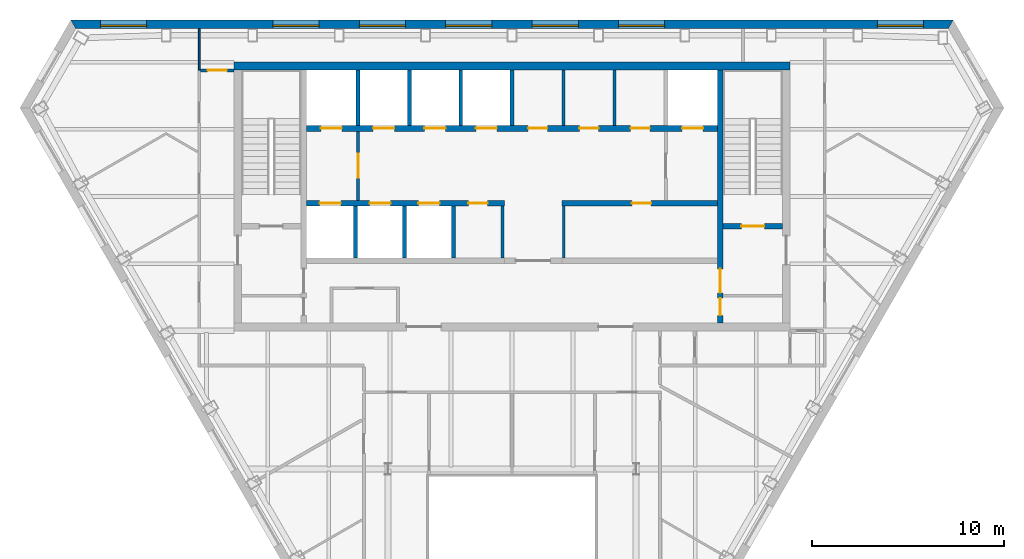
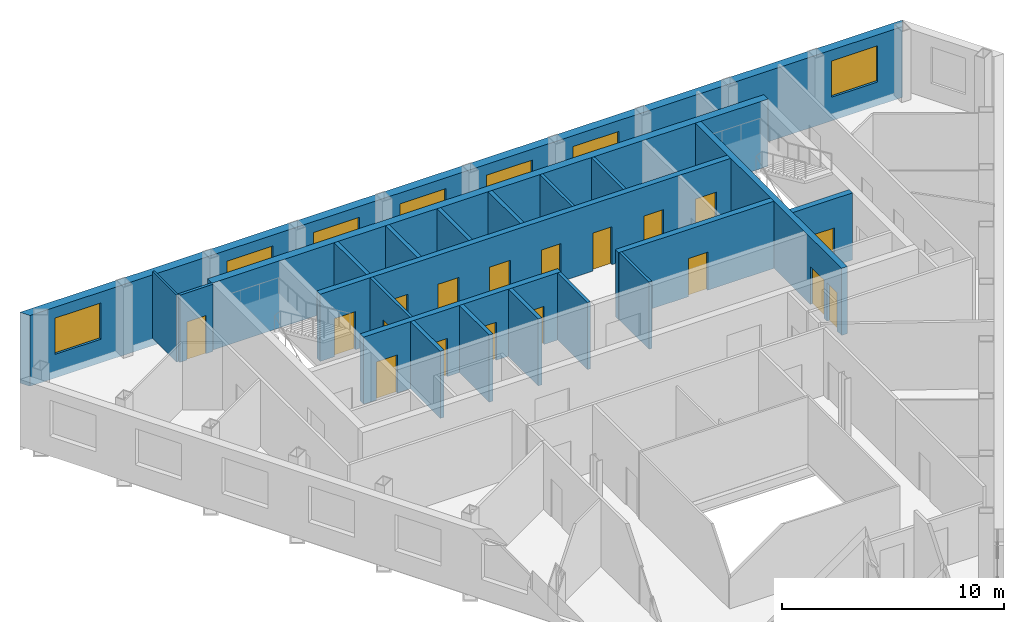
# One storey, part 6 of 10: 21 walls, 18 doors, 7 windows, 25 openings.
"""IFC4 building model written with IfcOpenShell, lengths in metres."""

from ifc_helpers import new_model, si_unit, direction, frame, frame_2d, origin, place, context, subcontext, project, spatial, polyline, rectangle, outline, extrude, material, layer, layer_set, type_object, element, fill, save


model = new_model("IFC4")

# Units and contexts
model_context = context("Model", 3, precision=1e-05, world=origin(), true_north=direction((0.0, 1.0)))
body_context = subcontext(model_context, "Body", "Model", "MODEL_VIEW")
ifc_project = project(units=[si_unit("LENGTHUNIT", "METRE"), si_unit("AREAUNIT", "SQUARE_METRE"), si_unit("VOLUMEUNIT", "CUBIC_METRE"), si_unit("PLANEANGLEUNIT", "RADIAN"), si_unit("MASSUNIT", "GRAM", prefix="KILO")], contexts=[model_context])

# Site, building, storey
site_placement = place(None, origin())
site = spatial("IfcSite", under=ifc_project, at=site_placement, CompositionType="ELEMENT")
building_placement = place(site_placement, origin())
building = spatial("IfcBuilding", under=site, at=building_placement, Name="Njiva Tower", CompositionType="ELEMENT")
storey_placement = place(building_placement, frame((0.0, 0.0, 280.5)))
storey = spatial("IfcBuildingStorey", under=building, at=storey_placement, Name="L64", CompositionType="ELEMENT", Elevation=280.5)

# Walls
ifc_material_1 = material(Name="Blockwork", Category="masonry")
ifc_layer_1 = layer(ifc_material_1, 0.15)
ifc_layer_set_1 = layer_set([ifc_layer_1], Name="Blockwork")
wall_type_1 = type_object("IfcWallType", Name="WT1 Compartment partition 150", PredefinedType="PARTITIONING", material=ifc_layer_set_1)
for number, where, z_axis, x_axis, name in (
    (1, (2.675, 14.7, 0.0), (0.0, 0.0, 1.0), (0.0, 1.0, 0.0), "Partition CN5"),
    (2, (5.35, 14.7, 0.0), (0.0, 0.0, 1.0), (0.0, 1.0, 0.0), "Partition CN6"),
):
    element("IfcWall", number, at=place(storey_placement, frame(where, z_axis=z_axis, x_axis=x_axis)), inside=storey, type_object=wall_type_1, Name=name, PredefinedType="PARTITIONING", context=body_context, shape_type="SweptSolid", body=[
        extrude(rectangle(XDim=2.9, YDim=0.15, at=frame_2d((1.45, 0.0))), origin(), (0.0, 0.0, 1.0), 3.7),
    ])
for number, where, z_axis, x_axis, name in (
    (3, (-0.5, 7.8, 0.0), (0.0, 0.0, 1.0), (0.0, 1.0, 0.0), "Partition CS4"),
    (4, (2.7, 7.8, 0.0), (0.0, 0.0, 1.0), (0.0, 1.0, 0.0), "Partition CS5"),
):
    element("IfcWall", number, at=place(storey_placement, frame(where, z_axis=z_axis, x_axis=x_axis)), inside=storey, type_object=wall_type_1, Name=name, PredefinedType="PARTITIONING", context=body_context, shape_type="SweptSolid", body=[
        extrude(rectangle(XDim=2.7, YDim=0.15, at=frame_2d((1.35, 0.0))), origin(), (0.0, 0.0, 1.0), 3.7),
    ])

# Wall, openings, doors
ifc_material_2 = material(Name="Concrete C40/50", Category="concrete")
ifc_layer_2 = layer(ifc_material_2, 0.3)
ifc_layer_set_2 = layer_set([ifc_layer_2], Name="Concrete C40/50")
wall_type_2 = type_object("IfcWallType", Name="WT10 Stair enclosure wall 300", PredefinedType="SHEAR", material=ifc_layer_set_2)
wall_1_placement = place(storey_placement, frame((10.85, 4.4, 0.0), z_axis=(0.0, 0.0, 1.0), x_axis=(0.0, 1.0, 0.0)))
wall_1 = element("IfcWall", 5, at=wall_1_placement, inside=storey, type_object=wall_type_2, Name="Stair wall east inner", PredefinedType="SHEAR", context=body_context, shape_type="SweptSolid", body=[
    extrude(rectangle(XDim=13.2, YDim=0.3, at=frame_2d((6.6, 0.0))), origin(), (0.0, 0.0, 1.0), 3.7),
])
opening_1_placement = place(wall_1_placement, frame((1.575, 0.0, 0.0)))
opening_1 = element("IfcOpeningElement", 6, at=opening_1_placement, cuts=wall_1, Name="Opening S21-D921", PredefinedType="OPENING", context=body_context, shape_type="SweptSolid", body=[
    extrude(rectangle(XDim=1.25, YDim=2.1, at=frame_2d((0.625, 1.05))), frame((0.0, 0.16, 0.0), z_axis=(0.0, -1.0, 0.0), x_axis=(1.0, 0.0, 0.0)), (0.0, 0.0, 1.0), 0.32),
])
opening_2_placement = place(wall_1_placement, frame((0.4, 0.0, 0.0)))
opening_2 = element("IfcOpeningElement", 7, at=opening_2_placement, cuts=wall_1, Name="Opening S21-D923", PredefinedType="OPENING", context=body_context, shape_type="SweptSolid", body=[
    extrude(rectangle(XDim=0.9, YDim=2.1, at=frame_2d((0.45, 1.05))), frame((0.0, 0.16, 0.0), z_axis=(0.0, -1.0, 0.0), x_axis=(1.0, 0.0, 0.0)), (0.0, 0.0, 1.0), 0.32),
])
ifc_material_3 = material(Name="Steel door, painted", Category="steel")
door_type_1 = type_object("IfcDoorType", Name="D13 Steel door 900x2100", OperationType="SINGLE_SWING_LEFT", PredefinedType="DOOR", material=ifc_material_3)
door_1_placement = place(opening_2_placement, origin())
door_1 = element("IfcDoor", 8, at=door_1_placement, inside=storey, type_object=door_type_1, Name="First aid room door", OperationType="SINGLE_SWING_LEFT", OverallHeight=2.1, OverallWidth=0.9, PredefinedType="DOOR", context=body_context, shape_type="SweptSolid", body=[
    extrude(rectangle(XDim=0.9, YDim=2.1, at=frame_2d((0.45, 1.05))), frame((0.0, 0.025, 0.0), z_axis=(0.0, -1.0, 0.0), x_axis=(1.0, 0.0, 0.0)), (0.0, 0.0, 1.0), 0.05),
])
fill(opening_2, door_1)
ifc_material_4 = material(Name="Glazed steel fire door", Category="steel")
door_type_2 = type_object("IfcDoorType", Name="D8 Vestibule corridor door 1250x2100 glazed", OperationType="SINGLE_SWING_LEFT", PredefinedType="DOOR", material=ifc_material_4)
door_2_placement = place(opening_1_placement, origin())
door_2 = element("IfcDoor", 9, at=door_2_placement, inside=storey, type_object=door_type_2, Name="Stair vestibule corridor door", OperationType="SINGLE_SWING_RIGHT", OverallHeight=2.1, OverallWidth=1.25, PredefinedType="DOOR", context=body_context, shape_type="SweptSolid", body=[
    extrude(rectangle(XDim=1.25, YDim=2.1, at=frame_2d((0.625, 1.05))), frame((0.0, 0.025, 0.0), z_axis=(0.0, -1.0, 0.0), x_axis=(1.0, 0.0, 0.0)), (0.0, 0.0, 1.0), 0.05),
])
fill(opening_1, door_2)

# Wall, opening, door
wall_2_placement = place(storey_placement, frame((11.0, 9.45, 0.0), z_axis=(0.0, 0.0, 1.0), x_axis=(1.0, 0.0, 0.0)))
wall_2 = element("IfcWall", 10, at=wall_2_placement, inside=storey, type_object=wall_type_2, Name="Stair B south wall", PredefinedType="SHEAR", context=body_context, shape_type="SweptSolid", body=[
    extrude(rectangle(XDim=3.1, YDim=0.3, at=frame_2d((1.55, 0.0))), origin(), (0.0, 0.0, 1.0), 3.7),
])
opening_3_placement = place(wall_2_placement, frame((0.95, 0.0, 0.0)))
opening_3 = element("IfcOpeningElement", 11, at=opening_3_placement, cuts=wall_2, Name="Opening S21-D920", PredefinedType="OPENING", context=body_context, shape_type="SweptSolid", body=[
    extrude(rectangle(XDim=1.2, YDim=2.1, at=frame_2d((0.6, 1.05))), frame((0.0, 0.16, 0.0), z_axis=(0.0, -1.0, 0.0), x_axis=(1.0, 0.0, 0.0)), (0.0, 0.0, 1.0), 0.32),
])
door_type_3 = type_object("IfcDoorType", Name="D7 Stair vestibule door 1200x2100 glazed", OperationType="SINGLE_SWING_LEFT", PredefinedType="DOOR", material=ifc_material_4)
door_3_placement = place(opening_3_placement, origin())
door_3 = element("IfcDoor", 12, at=door_3_placement, inside=storey, type_object=door_type_3, Name="Stair B door", OperationType="SINGLE_SWING_LEFT", OverallHeight=2.1, OverallWidth=1.2, PredefinedType="DOOR", context=body_context, shape_type="SweptSolid", body=[
    extrude(rectangle(XDim=1.2, YDim=2.1, at=frame_2d((0.6, 1.05))), frame((0.0, 0.025, 0.0), z_axis=(0.0, -1.0, 0.0), x_axis=(1.0, 0.0, 0.0)), (0.0, 0.0, 1.0), 0.05),
])
fill(opening_3, door_3)

# Wall
ifc_material_5 = material(Name="Concrete C60/75", Category="concrete")
ifc_layer_3 = layer(ifc_material_5, 0.4)
ifc_layer_set_3 = layer_set([ifc_layer_3], Name="Concrete C60/75")
wall_type_3 = type_object("IfcWallType", Name="WT11 Core wall 400", PredefinedType="SHEAR", material=ifc_layer_set_3)
wall_3_placement = place(storey_placement, frame((-14.5, 17.8, 0.0), z_axis=(0.0, 0.0, 1.0), x_axis=(1.0, 0.0, 0.0)))
element("IfcWall", 13, at=wall_3_placement, inside=storey, type_object=wall_type_3, Name="Core wall north", PredefinedType="SHEAR", context=body_context, shape_type="SweptSolid", body=[
    extrude(rectangle(XDim=29.0, YDim=0.4, at=frame_2d((14.5, 0.0))), origin(), (0.0, 0.0, 1.0), 3.7),
])

# Wall, opening, door
ifc_layer_4 = layer(ifc_material_1, 0.15)
ifc_layer_set_4 = layer_set([ifc_layer_4], Name="Blockwork")
wall_type_4 = type_object("IfcWallType", Name="WT2 Lobby partition 150", PredefinedType="PARTITIONING", material=ifc_layer_set_4)
wall_4_placement = place(storey_placement, frame((-8.025, 10.8, 0.0), z_axis=(0.0, 0.0, 1.0), x_axis=(0.0, 1.0, 0.0)))
wall_4 = element("IfcWall", 14, at=wall_4_placement, inside=storey, type_object=wall_type_4, Name="Firefighting lobby wall A", PredefinedType="PARTITIONING", context=body_context, shape_type="SweptSolid", body=[
    extrude(rectangle(XDim=3.6, YDim=0.15, at=frame_2d((1.8, 0.0))), origin(), (0.0, 0.0, 1.0), 3.7),
])
opening_4_placement = place(wall_4_placement, frame((1.175, 0.0, 0.0)))
opening_4 = element("IfcOpeningElement", 15, at=opening_4_placement, cuts=wall_4, Name="Opening S21-D914", PredefinedType="OPENING", context=body_context, shape_type="SweptSolid", body=[
    extrude(rectangle(XDim=1.25, YDim=2.1, at=frame_2d((0.625, 1.05))), frame((0.0, 0.085, 0.0), z_axis=(0.0, -1.0, 0.0), x_axis=(1.0, 0.0, 0.0)), (0.0, 0.0, 1.0), 0.17),
])
door_4_placement = place(opening_4_placement, origin())
door_4 = element("IfcDoor", 16, at=door_4_placement, inside=storey, type_object=door_type_2, Name="Stair vestibule corridor door", OperationType="SINGLE_SWING_RIGHT", OverallHeight=2.1, OverallWidth=1.25, PredefinedType="DOOR", context=body_context, shape_type="SweptSolid", body=[
    extrude(rectangle(XDim=1.25, YDim=2.1, at=frame_2d((0.625, 1.05))), frame((0.0, 0.025, 0.0), z_axis=(0.0, -1.0, 0.0), x_axis=(1.0, 0.0, 0.0)), (0.0, 0.0, 1.0), 0.05),
])
fill(opening_4, door_4)

# Wall
ifc_material_6 = material(Name="Gypsum board on steel studs", Category="gypsum")
ifc_layer_5 = layer(ifc_material_6, 0.1)
ifc_layer_set_5 = layer_set([ifc_layer_5], Name="Gypsum board on steel studs")
wall_type_5 = type_object("IfcWallType", Name="WT20 Gypsum partition 100", PredefinedType="PARTITIONING", material=ifc_layer_set_5)
wall_5_placement = place(storey_placement, frame((-16.3, 17.588, 0.0), z_axis=(0.0, 0.0, 1.0), x_axis=(0.0, 1.0, 0.0)))
element("IfcWall", 17, at=wall_5_placement, inside=storey, type_object=wall_type_5, Name="Partition S21-P005", PredefinedType="PARTITIONING", context=body_context, shape_type="SweptSolid", body=[
    extrude(rectangle(XDim=2.162, YDim=0.1, at=frame_2d((1.081, 0.0))), origin(), (0.0, 0.0, 1.0), 3.7),
])

# Wall, opening, door
ifc_layer_6 = layer(ifc_material_6, 0.15)
ifc_layer_set_6 = layer_set([ifc_layer_6], Name="Gypsum board on steel studs")
wall_type_6 = type_object("IfcWallType", Name="WT21 Compartment wall 150", PredefinedType="PARTITIONING", material=ifc_layer_set_6)
wall_6_placement = place(storey_placement, frame((-16.225, 17.576, 0.0), z_axis=(0.0, 0.0, 1.0), x_axis=(1.0, 0.0, 0.0)))
wall_6 = element("IfcWall", 18, at=wall_6_placement, inside=storey, type_object=wall_type_6, Name="Partition S21-P007", PredefinedType="PARTITIONING", context=body_context, shape_type="SweptSolid", body=[
    extrude(rectangle(XDim=1.725, YDim=0.15, at=frame_2d((0.8625, 0.0))), origin(), (0.0, 0.0, 1.0), 3.7),
])
opening_5_placement = place(wall_6_placement, frame((0.363, 0.0, 0.0)))
opening_5 = element("IfcOpeningElement", 19, at=opening_5_placement, cuts=wall_6, Name="Opening S21-D004", PredefinedType="OPENING", context=body_context, shape_type="SweptSolid", body=[
    extrude(rectangle(XDim=1.0, YDim=2.1, at=frame_2d((0.5, 1.05))), frame((0.0, 0.085, 0.0), z_axis=(0.0, -1.0, 0.0), x_axis=(1.0, 0.0, 0.0)), (0.0, 0.0, 1.0), 0.17),
])
ifc_material_7 = material(Name="Steel fire door set", Category="steel")
door_type_4 = type_object("IfcDoorType", Name="D37 Fire door 1000x2100", OperationType="SINGLE_SWING_LEFT", PredefinedType="DOOR", material=ifc_material_7)
door_5_placement = place(opening_5_placement, origin())
door_5 = element("IfcDoor", 20, at=door_5_placement, inside=storey, type_object=door_type_4, Name="Door S21-D004", OperationType="SINGLE_SWING_LEFT", OverallHeight=2.1, OverallWidth=1.0, PredefinedType="DOOR", context=body_context, shape_type="SweptSolid", body=[
    extrude(rectangle(XDim=1.0, YDim=2.1, at=frame_2d((0.5, 1.05))), frame((0.0, 0.025, 0.0), z_axis=(0.0, -1.0, 0.0), x_axis=(1.0, 0.0, 0.0)), (0.0, 0.0, 1.0), 0.05),
])
fill(opening_5, door_5)

# Walls
ifc_layer_7 = layer(ifc_material_2, 0.2)
ifc_layer_set_7 = layer_set([ifc_layer_7], Name="Concrete C40/50")
wall_type_7 = type_object("IfcWallType", Name="WT6 Lift shaft wall 200", PredefinedType="SHEAR", material=ifc_layer_set_7)
for number, where, z_axis, x_axis, name in (
    (21, (-8.025, 14.7, 0.0), (0.0, 0.0, 1.0), (0.0, 1.0, 0.0), "Shaft wall CN1"),
    (22, (-5.35, 14.7, 0.0), (0.0, 0.0, 1.0), (0.0, 1.0, 0.0), "Shaft wall CN2"),
    (23, (-2.675, 14.7, 0.0), (0.0, 0.0, 1.0), (0.0, 1.0, 0.0), "Shaft wall CN3"),
    (24, (0.0, 14.7, 0.0), (0.0, 0.0, 1.0), (0.0, 1.0, 0.0), "Shaft wall CN4"),
):
    element("IfcWall", number, at=place(storey_placement, frame(where, z_axis=z_axis, x_axis=x_axis)), inside=storey, type_object=wall_type_7, Name=name, PredefinedType="SHEAR", context=body_context, shape_type="SweptSolid", body=[
        extrude(rectangle(XDim=2.9, YDim=0.2, at=frame_2d((1.45, 0.0))), origin(), (0.0, 0.0, 1.0), 3.7),
    ])
for number, where, z_axis, x_axis, name in (
    (25, (-8.15, 7.8, 0.0), (0.0, 0.0, 1.0), (0.0, 1.0, 0.0), "Shaft wall CS1"),
    (26, (-5.6, 7.8, 0.0), (0.0, 0.0, 1.0), (0.0, 1.0, 0.0), "Shaft wall CS2"),
    (27, (-3.05, 7.8, 0.0), (0.0, 0.0, 1.0), (0.0, 1.0, 0.0), "Shaft wall CS3"),
):
    element("IfcWall", number, at=place(storey_placement, frame(where, z_axis=z_axis, x_axis=x_axis)), inside=storey, type_object=wall_type_7, Name=name, PredefinedType="SHEAR", context=body_context, shape_type="SweptSolid", body=[
        extrude(rectangle(XDim=2.7, YDim=0.2, at=frame_2d((1.35, 0.0))), origin(), (0.0, 0.0, 1.0), 3.7),
    ])

# Wall, openings, doors
ifc_layer_8 = layer(ifc_material_2, 0.3)
ifc_layer_set_8 = layer_set([ifc_layer_8], Name="Concrete C40/50")
wall_type_8 = type_object("IfcWallType", Name="WT7 Lift shaft wall 300", PredefinedType="SHEAR", material=ifc_layer_set_8)
wall_7_placement = place(storey_placement, frame((-10.7, 14.55, 0.0), z_axis=(0.0, 0.0, 1.0), x_axis=(1.0, 0.0, 0.0)))
wall_7 = element("IfcWall", 28, at=wall_7_placement, inside=storey, type_object=wall_type_8, Name="Shaft wall north row lobby side", PredefinedType="SHEAR", context=body_context, shape_type="SweptSolid", body=[
    extrude(rectangle(XDim=21.4, YDim=0.3, at=frame_2d((10.7, 0.0))), origin(), (0.0, 0.0, 1.0), 3.7),
])
opening_6_placement = place(wall_7_placement, frame((0.7375, 0.0, 0.0)))
opening_6 = element("IfcOpeningElement", 29, at=opening_6_placement, cuts=wall_7, Name="Opening S21-D901", PredefinedType="OPENING", context=body_context, shape_type="SweptSolid", body=[
    extrude(rectangle(XDim=1.1, YDim=2.1, at=frame_2d((0.55, 1.05))), frame((0.0, 0.16, 0.0), z_axis=(0.0, -1.0, 0.0), x_axis=(1.0, 0.0, 0.0)), (0.0, 0.0, 1.0), 0.32),
])
opening_7_placement = place(wall_7_placement, frame((3.4625, 0.0, 0.0)))
opening_7 = element("IfcOpeningElement", 30, at=opening_7_placement, cuts=wall_7, Name="Opening S21-D902", PredefinedType="OPENING", context=body_context, shape_type="SweptSolid", body=[
    extrude(rectangle(XDim=1.1, YDim=2.1, at=frame_2d((0.55, 1.05))), frame((0.0, 0.16, 0.0), z_axis=(0.0, -1.0, 0.0), x_axis=(1.0, 0.0, 0.0)), (0.0, 0.0, 1.0), 0.32),
])
opening_8_placement = place(wall_7_placement, frame((6.1375, 0.0, 0.0)))
opening_8 = element("IfcOpeningElement", 31, at=opening_8_placement, cuts=wall_7, Name="Opening S21-D903", PredefinedType="OPENING", context=body_context, shape_type="SweptSolid", body=[
    extrude(rectangle(XDim=1.1, YDim=2.1, at=frame_2d((0.55, 1.05))), frame((0.0, 0.16, 0.0), z_axis=(0.0, -1.0, 0.0), x_axis=(1.0, 0.0, 0.0)), (0.0, 0.0, 1.0), 0.32),
])
opening_9_placement = place(wall_7_placement, frame((8.8125, 0.0, 0.0)))
opening_9 = element("IfcOpeningElement", 32, at=opening_9_placement, cuts=wall_7, Name="Opening S21-D904", PredefinedType="OPENING", context=body_context, shape_type="SweptSolid", body=[
    extrude(rectangle(XDim=1.1, YDim=2.1, at=frame_2d((0.55, 1.05))), frame((0.0, 0.16, 0.0), z_axis=(0.0, -1.0, 0.0), x_axis=(1.0, 0.0, 0.0)), (0.0, 0.0, 1.0), 0.32),
])
opening_10_placement = place(wall_7_placement, frame((19.5625, 0.0, 0.0)))
opening_10 = element("IfcOpeningElement", 33, at=opening_10_placement, cuts=wall_7, Name="Opening S21-D905", PredefinedType="OPENING", context=body_context, shape_type="SweptSolid", body=[
    extrude(rectangle(XDim=1.1, YDim=2.1, at=frame_2d((0.55, 1.05))), frame((0.0, 0.16, 0.0), z_axis=(0.0, -1.0, 0.0), x_axis=(1.0, 0.0, 0.0)), (0.0, 0.0, 1.0), 0.32),
])
opening_11_placement = place(wall_7_placement, frame((11.5375, 0.0, 0.0)))
opening_11 = element("IfcOpeningElement", 34, at=opening_11_placement, cuts=wall_7, Name="Opening S21-D909", PredefinedType="OPENING", context=body_context, shape_type="SweptSolid", body=[
    extrude(rectangle(XDim=1.0, YDim=2.1, at=frame_2d((0.5, 1.05))), frame((0.0, 0.16, 0.0), z_axis=(0.0, -1.0, 0.0), x_axis=(1.0, 0.0, 0.0)), (0.0, 0.0, 1.0), 0.32),
])
opening_12_placement = place(wall_7_placement, frame((14.2125, 0.0, 0.0)))
opening_12 = element("IfcOpeningElement", 35, at=opening_12_placement, cuts=wall_7, Name="Opening S21-D910", PredefinedType="OPENING", context=body_context, shape_type="SweptSolid", body=[
    extrude(rectangle(XDim=1.0, YDim=2.1, at=frame_2d((0.5, 1.05))), frame((0.0, 0.16, 0.0), z_axis=(0.0, -1.0, 0.0), x_axis=(1.0, 0.0, 0.0)), (0.0, 0.0, 1.0), 0.32),
])
opening_13_placement = place(wall_7_placement, frame((16.8875, 0.0, 0.0)))
opening_13 = element("IfcOpeningElement", 36, at=opening_13_placement, cuts=wall_7, Name="Opening S21-D911", PredefinedType="OPENING", context=body_context, shape_type="SweptSolid", body=[
    extrude(rectangle(XDim=1.0, YDim=2.1, at=frame_2d((0.5, 1.05))), frame((0.0, 0.16, 0.0), z_axis=(0.0, -1.0, 0.0), x_axis=(1.0, 0.0, 0.0)), (0.0, 0.0, 1.0), 0.32),
])
door_type_5 = type_object("IfcDoorType", Name="D5 Steel door 1000x2100", OperationType="SINGLE_SWING_LEFT", PredefinedType="DOOR", material=ifc_material_3)
door_6_placement = place(opening_11_placement, origin())
door_6 = element("IfcDoor", 37, at=door_6_placement, inside=storey, type_object=door_type_5, Name="First aid room door", OperationType="SINGLE_SWING_LEFT", OverallHeight=2.1, OverallWidth=1.0, PredefinedType="DOOR", context=body_context, shape_type="SweptSolid", body=[
    extrude(rectangle(XDim=1.0, YDim=2.1, at=frame_2d((0.5, 1.05))), frame((0.0, 0.025, 0.0), z_axis=(0.0, -1.0, 0.0), x_axis=(1.0, 0.0, 0.0)), (0.0, 0.0, 1.0), 0.05),
])
fill(opening_11, door_6)
door_7_placement = place(opening_12_placement, origin())
door_7 = element("IfcDoor", 38, at=door_7_placement, inside=storey, type_object=door_type_5, Name="Breakout room door", OperationType="SINGLE_SWING_LEFT", OverallHeight=2.1, OverallWidth=1.0, PredefinedType="DOOR", context=body_context, shape_type="SweptSolid", body=[
    extrude(rectangle(XDim=1.0, YDim=2.1, at=frame_2d((0.5, 1.05))), frame((0.0, 0.025, 0.0), z_axis=(0.0, -1.0, 0.0), x_axis=(1.0, 0.0, 0.0)), (0.0, 0.0, 1.0), 0.05),
])
fill(opening_12, door_7)
door_8_placement = place(opening_13_placement, origin())
door_8 = element("IfcDoor", 39, at=door_8_placement, inside=storey, type_object=door_type_5, Name="Reading room door", OperationType="SINGLE_SWING_LEFT", OverallHeight=2.1, OverallWidth=1.0, PredefinedType="DOOR", context=body_context, shape_type="SweptSolid", body=[
    extrude(rectangle(XDim=1.0, YDim=2.1, at=frame_2d((0.5, 1.05))), frame((0.0, 0.025, 0.0), z_axis=(0.0, -1.0, 0.0), x_axis=(1.0, 0.0, 0.0)), (0.0, 0.0, 1.0), 0.05),
])
fill(opening_13, door_8)
ifc_material_8 = material(Name="Stainless steel sliding door", Category="steel")
door_type_6 = type_object("IfcDoorType", Name="LD Lift landing door 1100x2100", OperationType="SLIDING_TO_LEFT", PredefinedType="DOOR", material=ifc_material_8)
door_9_placement = place(opening_6_placement, origin())
door_9 = element("IfcDoor", 40, at=door_9_placement, inside=storey, type_object=door_type_6, Name="Lift landing door FF1", OperationType="SLIDING_TO_LEFT", OverallHeight=2.1, OverallWidth=1.1, PredefinedType="DOOR", context=body_context, shape_type="SweptSolid", body=[
    extrude(rectangle(XDim=1.1, YDim=2.1, at=frame_2d((0.55, 1.05))), frame((0.0, 0.025, 0.0), z_axis=(0.0, -1.0, 0.0), x_axis=(1.0, 0.0, 0.0)), (0.0, 0.0, 1.0), 0.05),
])
fill(opening_6, door_9)
door_10_placement = place(opening_7_placement, origin())
door_10 = element("IfcDoor", 41, at=door_10_placement, inside=storey, type_object=door_type_6, Name="Lift landing door HB4", OperationType="SLIDING_TO_LEFT", OverallHeight=2.1, OverallWidth=1.1, PredefinedType="DOOR", context=body_context, shape_type="SweptSolid", body=[
    extrude(rectangle(XDim=1.1, YDim=2.1, at=frame_2d((0.55, 1.05))), frame((0.0, 0.025, 0.0), z_axis=(0.0, -1.0, 0.0), x_axis=(1.0, 0.0, 0.0)), (0.0, 0.0, 1.0), 0.05),
])
fill(opening_7, door_10)
door_11_placement = place(opening_8_placement, origin())
door_11 = element("IfcDoor", 42, at=door_11_placement, inside=storey, type_object=door_type_6, Name="Lift landing door HB5", OperationType="SLIDING_TO_LEFT", OverallHeight=2.1, OverallWidth=1.1, PredefinedType="DOOR", context=body_context, shape_type="SweptSolid", body=[
    extrude(rectangle(XDim=1.1, YDim=2.1, at=frame_2d((0.55, 1.05))), frame((0.0, 0.025, 0.0), z_axis=(0.0, -1.0, 0.0), x_axis=(1.0, 0.0, 0.0)), (0.0, 0.0, 1.0), 0.05),
])
fill(opening_8, door_11)
door_12_placement = place(opening_9_placement, origin())
door_12 = element("IfcDoor", 43, at=door_12_placement, inside=storey, type_object=door_type_6, Name="Lift landing door HB6", OperationType="SLIDING_TO_LEFT", OverallHeight=2.1, OverallWidth=1.1, PredefinedType="DOOR", context=body_context, shape_type="SweptSolid", body=[
    extrude(rectangle(XDim=1.1, YDim=2.1, at=frame_2d((0.55, 1.05))), frame((0.0, 0.025, 0.0), z_axis=(0.0, -1.0, 0.0), x_axis=(1.0, 0.0, 0.0)), (0.0, 0.0, 1.0), 0.05),
])
fill(opening_9, door_12)
door_13_placement = place(opening_10_placement, origin())
door_13 = element("IfcDoor", 44, at=door_13_placement, inside=storey, type_object=door_type_6, Name="Lift landing door FF2", OperationType="SLIDING_TO_LEFT", OverallHeight=2.1, OverallWidth=1.1, PredefinedType="DOOR", context=body_context, shape_type="SweptSolid", body=[
    extrude(rectangle(XDim=1.1, YDim=2.1, at=frame_2d((0.55, 1.05))), frame((0.0, 0.025, 0.0), z_axis=(0.0, -1.0, 0.0), x_axis=(1.0, 0.0, 0.0)), (0.0, 0.0, 1.0), 0.05),
])
fill(opening_10, door_13)

wall_8_placement = place(storey_placement, frame((-10.7, 10.65, 0.0), z_axis=(0.0, 0.0, 1.0), x_axis=(1.0, 0.0, 0.0)))
wall_8 = element("IfcWall", 45, at=wall_8_placement, inside=storey, type_object=wall_type_8, Name="Shaft wall south row lobby side W", PredefinedType="SHEAR", context=body_context, shape_type="SweptSolid", body=[
    extrude(rectangle(XDim=10.3, YDim=0.3, at=frame_2d((5.15, 0.0))), origin(), (0.0, 0.0, 1.0), 3.7),
])
opening_14_placement = place(wall_8_placement, frame((0.675, 0.0, 0.0)))
opening_14 = element("IfcOpeningElement", 46, at=opening_14_placement, cuts=wall_8, Name="Opening S21-D906", PredefinedType="OPENING", context=body_context, shape_type="SweptSolid", body=[
    extrude(rectangle(XDim=1.1, YDim=2.1, at=frame_2d((0.55, 1.05))), frame((0.0, 0.16, 0.0), z_axis=(0.0, -1.0, 0.0), x_axis=(1.0, 0.0, 0.0)), (0.0, 0.0, 1.0), 0.32),
])
opening_15_placement = place(wall_8_placement, frame((3.275, 0.0, 0.0)))
opening_15 = element("IfcOpeningElement", 47, at=opening_15_placement, cuts=wall_8, Name="Opening S21-D907", PredefinedType="OPENING", context=body_context, shape_type="SweptSolid", body=[
    extrude(rectangle(XDim=1.1, YDim=2.1, at=frame_2d((0.55, 1.05))), frame((0.0, 0.16, 0.0), z_axis=(0.0, -1.0, 0.0), x_axis=(1.0, 0.0, 0.0)), (0.0, 0.0, 1.0), 0.32),
])
opening_16_placement = place(wall_8_placement, frame((5.825, 0.0, 0.0)))
opening_16 = element("IfcOpeningElement", 48, at=opening_16_placement, cuts=wall_8, Name="Opening S21-D908", PredefinedType="OPENING", context=body_context, shape_type="SweptSolid", body=[
    extrude(rectangle(XDim=1.1, YDim=2.1, at=frame_2d((0.55, 1.05))), frame((0.0, 0.16, 0.0), z_axis=(0.0, -1.0, 0.0), x_axis=(1.0, 0.0, 0.0)), (0.0, 0.0, 1.0), 0.32),
])
opening_17_placement = place(wall_8_placement, frame((8.425, 0.0, 0.0)))
opening_17 = element("IfcOpeningElement", 49, at=opening_17_placement, cuts=wall_8, Name="Opening S21-D912", PredefinedType="OPENING", context=body_context, shape_type="SweptSolid", body=[
    extrude(rectangle(XDim=1.0, YDim=2.1, at=frame_2d((0.5, 1.05))), frame((0.0, 0.16, 0.0), z_axis=(0.0, -1.0, 0.0), x_axis=(1.0, 0.0, 0.0)), (0.0, 0.0, 1.0), 0.32),
])
door_14_placement = place(opening_17_placement, origin())
door_14 = element("IfcDoor", 50, at=door_14_placement, inside=storey, type_object=door_type_5, Name="Quiet room door", OperationType="SINGLE_SWING_RIGHT", OverallHeight=2.1, OverallWidth=1.0, PredefinedType="DOOR", context=body_context, shape_type="SweptSolid", body=[
    extrude(rectangle(XDim=1.0, YDim=2.1, at=frame_2d((0.5, 1.05))), frame((0.0, 0.025, 0.0), z_axis=(0.0, -1.0, 0.0), x_axis=(1.0, 0.0, 0.0)), (0.0, 0.0, 1.0), 0.05),
])
fill(opening_17, door_14)
door_15_placement = place(opening_14_placement, origin())
door_15 = element("IfcDoor", 51, at=door_15_placement, inside=storey, type_object=door_type_6, Name="Lift landing door HB1", OperationType="SLIDING_TO_LEFT", OverallHeight=2.1, OverallWidth=1.1, PredefinedType="DOOR", context=body_context, shape_type="SweptSolid", body=[
    extrude(rectangle(XDim=1.1, YDim=2.1, at=frame_2d((0.55, 1.05))), frame((0.0, 0.025, 0.0), z_axis=(0.0, -1.0, 0.0), x_axis=(1.0, 0.0, 0.0)), (0.0, 0.0, 1.0), 0.05),
])
fill(opening_14, door_15)
door_16_placement = place(opening_15_placement, origin())
door_16 = element("IfcDoor", 52, at=door_16_placement, inside=storey, type_object=door_type_6, Name="Lift landing door HB2", OperationType="SLIDING_TO_LEFT", OverallHeight=2.1, OverallWidth=1.1, PredefinedType="DOOR", context=body_context, shape_type="SweptSolid", body=[
    extrude(rectangle(XDim=1.1, YDim=2.1, at=frame_2d((0.55, 1.05))), frame((0.0, 0.025, 0.0), z_axis=(0.0, -1.0, 0.0), x_axis=(1.0, 0.0, 0.0)), (0.0, 0.0, 1.0), 0.05),
])
fill(opening_15, door_16)
door_17_placement = place(opening_16_placement, origin())
door_17 = element("IfcDoor", 53, at=door_17_placement, inside=storey, type_object=door_type_6, Name="Lift landing door HB3", OperationType="SLIDING_TO_LEFT", OverallHeight=2.1, OverallWidth=1.1, PredefinedType="DOOR", context=body_context, shape_type="SweptSolid", body=[
    extrude(rectangle(XDim=1.1, YDim=2.1, at=frame_2d((0.55, 1.05))), frame((0.0, 0.025, 0.0), z_axis=(0.0, -1.0, 0.0), x_axis=(1.0, 0.0, 0.0)), (0.0, 0.0, 1.0), 0.05),
])
fill(opening_16, door_17)

# Wall, opening, door
wall_9_placement = place(storey_placement, frame((2.6, 10.65, 0.0), z_axis=(0.0, 0.0, 1.0), x_axis=(1.0, 0.0, 0.0)))
wall_9 = element("IfcWall", 54, at=wall_9_placement, inside=storey, type_object=wall_type_8, Name="Shaft wall south row lobby side E", PredefinedType="SHEAR", context=body_context, shape_type="SweptSolid", body=[
    extrude(rectangle(XDim=8.1, YDim=0.3, at=frame_2d((4.05, 0.0))), origin(), (0.0, 0.0, 1.0), 3.7),
])
opening_18_placement = place(wall_9_placement, frame((3.65, 0.0, 0.0)))
opening_18 = element("IfcOpeningElement", 55, at=opening_18_placement, cuts=wall_9, Name="Opening S21-D913", PredefinedType="OPENING", context=body_context, shape_type="SweptSolid", body=[
    extrude(rectangle(XDim=1.0, YDim=2.1, at=frame_2d((0.5, 1.05))), frame((0.0, 0.16, 0.0), z_axis=(0.0, -1.0, 0.0), x_axis=(1.0, 0.0, 0.0)), (0.0, 0.0, 1.0), 0.32),
])
door_18_placement = place(opening_18_placement, origin())
door_18 = element("IfcDoor", 56, at=door_18_placement, inside=storey, type_object=door_type_5, Name="Cleaner's store door", OperationType="SINGLE_SWING_RIGHT", OverallHeight=2.1, OverallWidth=1.0, PredefinedType="DOOR", context=body_context, shape_type="SweptSolid", body=[
    extrude(rectangle(XDim=1.0, YDim=2.1, at=frame_2d((0.5, 1.05))), frame((0.0, 0.025, 0.0), z_axis=(0.0, -1.0, 0.0), x_axis=(1.0, 0.0, 0.0)), (0.0, 0.0, 1.0), 0.05),
])
fill(opening_18, door_18)

# Wall, openings, windows
ifc_material_9 = material(Name="Brick masonry", Category="masonry")
ifc_layer_9 = layer(ifc_material_9, 0.45)
ifc_layer_set_9 = layer_set([ifc_layer_9], Name="Brick masonry")
wall_type_9 = type_object("IfcWallType", Name="WT90 Brick pier and spandrel wall 450", PredefinedType="SOLIDWALL", material=ifc_layer_set_9)
wall_10_placement = place(storey_placement, frame((22.8701, 19.975, -0.4), z_axis=(0.0, 0.0, 1.0), x_axis=(-1.0, 0.0, 0.0)))
wall_10 = element("IfcWall", 57, at=wall_10_placement, inside=storey, type_object=wall_type_9, Name="Facade wall N", PredefinedType="SOLIDWALL", context=body_context, shape_type="SweptSolid", body=[
    extrude(outline(polyline([(-0.1299, -0.225), (45.8701, -0.225), (45.6103, 0.225), (0.1299, 0.225), (-0.1299, -0.225)])), origin(), (0.0, 0.0, 1.0), 3.9),
])
opening_19_placement = place(wall_10_placement, frame((1.4242, 0.0, 1.3)))
opening_19 = element("IfcOpeningElement", 58, at=opening_19_placement, cuts=wall_10, Name="Opening S21-W01", PredefinedType="OPENING", context=body_context, shape_type="SweptSolid", body=[
    extrude(rectangle(XDim=2.4, YDim=2.0, at=frame_2d((1.2, 1.0))), frame((0.0, 0.235, 0.0), z_axis=(0.0, -1.0, 0.0), x_axis=(1.0, 0.0, 0.0)), (0.0, 0.0, 1.0), 0.47),
])
opening_20_placement = place(wall_10_placement, frame((14.9087, 0.0, 1.3)))
opening_20 = element("IfcOpeningElement", 59, at=opening_20_placement, cuts=wall_10, Name="Opening S21-W02", PredefinedType="OPENING", context=body_context, shape_type="SweptSolid", body=[
    extrude(rectangle(XDim=2.4, YDim=2.0, at=frame_2d((1.2, 1.0))), frame((0.0, 0.235, 0.0), z_axis=(0.0, -1.0, 0.0), x_axis=(1.0, 0.0, 0.0)), (0.0, 0.0, 1.0), 0.47),
])
opening_21_placement = place(wall_10_placement, frame((19.4163, 0.0, 1.3)))
opening_21 = element("IfcOpeningElement", 60, at=opening_21_placement, cuts=wall_10, Name="Opening S21-W03", PredefinedType="OPENING", context=body_context, shape_type="SweptSolid", body=[
    extrude(rectangle(XDim=2.4, YDim=2.0, at=frame_2d((1.2, 1.0))), frame((0.0, 0.235, 0.0), z_axis=(0.0, -1.0, 0.0), x_axis=(1.0, 0.0, 0.0)), (0.0, 0.0, 1.0), 0.47),
])
opening_22_placement = place(wall_10_placement, frame((23.9239, 0.0, 1.3)))
opening_22 = element("IfcOpeningElement", 61, at=opening_22_placement, cuts=wall_10, Name="Opening S21-W04", PredefinedType="OPENING", context=body_context, shape_type="SweptSolid", body=[
    extrude(rectangle(XDim=2.4, YDim=2.0, at=frame_2d((1.2, 1.0))), frame((0.0, 0.235, 0.0), z_axis=(0.0, -1.0, 0.0), x_axis=(1.0, 0.0, 0.0)), (0.0, 0.0, 1.0), 0.47),
])
opening_23_placement = place(wall_10_placement, frame((28.4315, 0.0, 1.3)))
opening_23 = element("IfcOpeningElement", 62, at=opening_23_placement, cuts=wall_10, Name="Opening S21-W05", PredefinedType="OPENING", context=body_context, shape_type="SweptSolid", body=[
    extrude(rectangle(XDim=2.4, YDim=2.0, at=frame_2d((1.2, 1.0))), frame((0.0, 0.235, 0.0), z_axis=(0.0, -1.0, 0.0), x_axis=(1.0, 0.0, 0.0)), (0.0, 0.0, 1.0), 0.47),
])
opening_24_placement = place(wall_10_placement, frame((32.9391, 0.0, 1.3)))
opening_24 = element("IfcOpeningElement", 63, at=opening_24_placement, cuts=wall_10, Name="Opening S21-W06", PredefinedType="OPENING", context=body_context, shape_type="SweptSolid", body=[
    extrude(rectangle(XDim=2.4, YDim=2.0, at=frame_2d((1.2, 1.0))), frame((0.0, 0.235, 0.0), z_axis=(0.0, -1.0, 0.0), x_axis=(1.0, 0.0, 0.0)), (0.0, 0.0, 1.0), 0.47),
])
opening_25_placement = place(wall_10_placement, frame((41.916, 0.0, 1.3)))
opening_25 = element("IfcOpeningElement", 64, at=opening_25_placement, cuts=wall_10, Name="Opening S21-W07", PredefinedType="OPENING", context=body_context, shape_type="SweptSolid", body=[
    extrude(rectangle(XDim=2.4, YDim=2.0, at=frame_2d((1.2, 1.0))), frame((0.0, 0.235, 0.0), z_axis=(0.0, -1.0, 0.0), x_axis=(1.0, 0.0, 0.0)), (0.0, 0.0, 1.0), 0.47),
])
ifc_material_10 = material(Name="Clear glazing in aluminium frame", Category="aluminium")
window_type = type_object("IfcWindowType", Name="W90 Deep-set window 2400x2000", PartitioningType="SINGLE_PANEL", PredefinedType="WINDOW", material=ifc_material_10)
window_1_placement = place(opening_19_placement, origin())
window_1 = element("IfcWindow", 65, at=window_1_placement, inside=storey, type_object=window_type, Name="Window", OverallHeight=2.0, OverallWidth=2.4, PartitioningType="SINGLE_PANEL", PredefinedType="WINDOW", context=body_context, shape_type="SweptSolid", body=[
    extrude(rectangle(XDim=2.4, YDim=2.0, at=frame_2d((1.2, 1.0))), frame((0.0, 0.105, 0.0), z_axis=(0.0, -1.0, 0.0), x_axis=(1.0, 0.0, 0.0)), (0.0, 0.0, 1.0), 0.06),
])
fill(opening_19, window_1)
window_2_placement = place(opening_20_placement, origin())
window_2 = element("IfcWindow", 66, at=window_2_placement, inside=storey, type_object=window_type, Name="Window", OverallHeight=2.0, OverallWidth=2.4, PartitioningType="SINGLE_PANEL", PredefinedType="WINDOW", context=body_context, shape_type="SweptSolid", body=[
    extrude(rectangle(XDim=2.4, YDim=2.0, at=frame_2d((1.2, 1.0))), frame((0.0, 0.105, 0.0), z_axis=(0.0, -1.0, 0.0), x_axis=(1.0, 0.0, 0.0)), (0.0, 0.0, 1.0), 0.06),
])
fill(opening_20, window_2)
window_3_placement = place(opening_21_placement, origin())
window_3 = element("IfcWindow", 67, at=window_3_placement, inside=storey, type_object=window_type, Name="Window", OverallHeight=2.0, OverallWidth=2.4, PartitioningType="SINGLE_PANEL", PredefinedType="WINDOW", context=body_context, shape_type="SweptSolid", body=[
    extrude(rectangle(XDim=2.4, YDim=2.0, at=frame_2d((1.2, 1.0))), frame((0.0, 0.105, 0.0), z_axis=(0.0, -1.0, 0.0), x_axis=(1.0, 0.0, 0.0)), (0.0, 0.0, 1.0), 0.06),
])
fill(opening_21, window_3)
window_4_placement = place(opening_22_placement, origin())
window_4 = element("IfcWindow", 68, at=window_4_placement, inside=storey, type_object=window_type, Name="Window", OverallHeight=2.0, OverallWidth=2.4, PartitioningType="SINGLE_PANEL", PredefinedType="WINDOW", context=body_context, shape_type="SweptSolid", body=[
    extrude(rectangle(XDim=2.4, YDim=2.0, at=frame_2d((1.2, 1.0))), frame((0.0, 0.105, 0.0), z_axis=(0.0, -1.0, 0.0), x_axis=(1.0, 0.0, 0.0)), (0.0, 0.0, 1.0), 0.06),
])
fill(opening_22, window_4)
window_5_placement = place(opening_23_placement, origin())
window_5 = element("IfcWindow", 69, at=window_5_placement, inside=storey, type_object=window_type, Name="Window", OverallHeight=2.0, OverallWidth=2.4, PartitioningType="SINGLE_PANEL", PredefinedType="WINDOW", context=body_context, shape_type="SweptSolid", body=[
    extrude(rectangle(XDim=2.4, YDim=2.0, at=frame_2d((1.2, 1.0))), frame((0.0, 0.105, 0.0), z_axis=(0.0, -1.0, 0.0), x_axis=(1.0, 0.0, 0.0)), (0.0, 0.0, 1.0), 0.06),
])
fill(opening_23, window_5)
window_6_placement = place(opening_24_placement, origin())
window_6 = element("IfcWindow", 70, at=window_6_placement, inside=storey, type_object=window_type, Name="Window", OverallHeight=2.0, OverallWidth=2.4, PartitioningType="SINGLE_PANEL", PredefinedType="WINDOW", context=body_context, shape_type="SweptSolid", body=[
    extrude(rectangle(XDim=2.4, YDim=2.0, at=frame_2d((1.2, 1.0))), frame((0.0, 0.105, 0.0), z_axis=(0.0, -1.0, 0.0), x_axis=(1.0, 0.0, 0.0)), (0.0, 0.0, 1.0), 0.06),
])
fill(opening_24, window_6)
window_7_placement = place(opening_25_placement, origin())
window_7 = element("IfcWindow", 71, at=window_7_placement, inside=storey, type_object=window_type, Name="Window", OverallHeight=2.0, OverallWidth=2.4, PartitioningType="SINGLE_PANEL", PredefinedType="WINDOW", context=body_context, shape_type="SweptSolid", body=[
    extrude(rectangle(XDim=2.4, YDim=2.0, at=frame_2d((1.2, 1.0))), frame((0.0, 0.105, 0.0), z_axis=(0.0, -1.0, 0.0), x_axis=(1.0, 0.0, 0.0)), (0.0, 0.0, 1.0), 0.06),
])
fill(opening_25, window_7)

save(model, "model.ifc")
